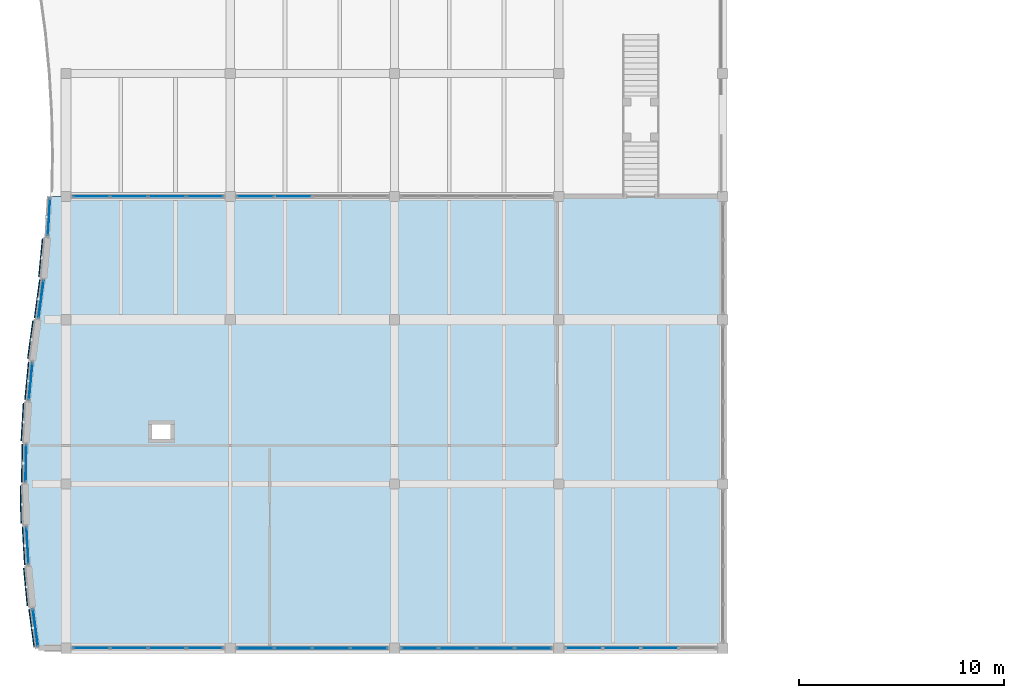
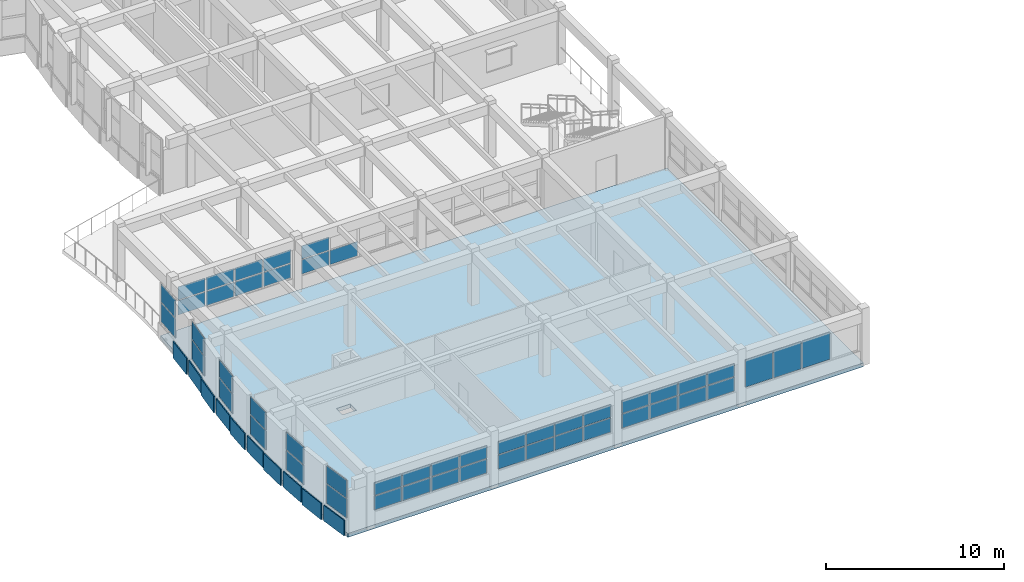
# One storey, part 43 of 89: 60 plates, 1 slab, 12 elements without a shape of their own.
"""IFC4 building model written with IfcOpenShell, lengths in metres."""

from ifc_helpers import new_model, si_unit, direction, frame, origin, origin_2d, place, context, subcontext, project, spatial, polyline, rectangle, outline, extrude, material, layer, layer_set, type_object, element, aggregate, save


model = new_model("IFC4")

# Units and contexts
model_context = context("Model", 3, precision=1e-05, world=origin(), true_north=direction((0.0, 1.0)))
body_context = subcontext(model_context, "Body", "Model", "MODEL_VIEW")
ifc_project = project(units=[si_unit("LENGTHUNIT", "METRE"), si_unit("AREAUNIT", "SQUARE_METRE"), si_unit("VOLUMEUNIT", "CUBIC_METRE"), si_unit("PLANEANGLEUNIT", "RADIAN"), si_unit("MASSUNIT", "GRAM", prefix="KILO")], contexts=[model_context])

# Site, building, storey
site_placement = place(None, origin())
site = spatial("IfcSite", under=ifc_project, at=site_placement, CompositionType="ELEMENT")
building_placement = place(site_placement, origin())
building = spatial("IfcBuilding", under=site, at=building_placement, Name="Tonlespit Floodbar School", CompositionType="ELEMENT")
storey_placement = place(building_placement, frame((0.0, 0.0, 4.5)))
storey = spatial("IfcBuildingStorey", under=building, at=storey_placement, Name="L01", CompositionType="ELEMENT", Elevation=4.5)

# Curtain wall, plates
ifc_material_1 = material(Name="Anodised Aluminium", Category="aluminium")
ifc_layer_1 = layer(ifc_material_1, 0.159912109375)
ifc_layer_set_1 = layer_set([ifc_layer_1], Name="Anodised Aluminium")
curtain_wall_type_1 = type_object("IfcCurtainWallType", Name="CurtainWall_1900x2700", PredefinedType="NOTDEFINED", material=ifc_layer_set_1)
curtain_wall_1_placement = place(storey_placement, origin())
curtain_wall_1 = element("IfcCurtainWall", 1, at=curtain_wall_1_placement, inside=storey, type_object=curtain_wall_type_1, Name="L01 unitised curtain wall 0513", PredefinedType="NOTDEFINED")
ifc_material_2 = material(Name="Laminated Low-E Glass", Category="glass")
ifc_layer_2 = layer(ifc_material_2, 0.028076171875)
ifc_layer_set_2 = layer_set([ifc_layer_2], Name="Laminated Low-E Glass")
plate_type_1 = type_object("IfcPlateType", Name="CW_Panel_Glaz_28", PredefinedType="CURTAIN_PANEL", material=ifc_layer_set_2)
plate_1_placement = place(storey_placement, frame((2.127197265625, 9.0, 1.01513671875), z_axis=(0.0, 0.0, 1.0), x_axis=(-0.057710137129, 0.998333381227, 0.0)))
plate_1 = element("IfcPlate", 2, at=plate_1_placement, type_object=plate_type_1, Name="CW-05 panel 1.1", PredefinedType="CURTAIN_PANEL", context=body_context, shape_type="SweptSolid", body=[
    extrude(rectangle(XDim=1.79345703125, YDim=0.028076171875, at=origin_2d()), origin(), (0.0, 0.0, 1.0), 1.306396484375),
])
plate_2_placement = place(storey_placement, frame((2.127197265625, 9.0, 2.38671875), z_axis=(0.0, 0.0, 1.0), x_axis=(-0.057710137129, 0.998333381227, 0.0)))
plate_2 = element("IfcPlate", 3, at=plate_2_placement, type_object=plate_type_1, Name="CW-05 panel 1.2", PredefinedType="CURTAIN_PANEL", context=body_context, shape_type="SweptSolid", body=[
    extrude(rectangle(XDim=1.79345703125, YDim=0.028076171875, at=origin_2d()), origin(), (0.0, 0.0, 1.0), 1.198486328125),
])
aggregate(curtain_wall_1, [plate_1, plate_2])

curtain_wall_2_placement = place(storey_placement, origin())
curtain_wall_2 = element("IfcCurtainWall", 4, at=curtain_wall_2_placement, inside=storey, type_object=curtain_wall_type_1, Name="L01 unitised curtain wall 0517", PredefinedType="NOTDEFINED")
plate_3_placement = place(storey_placement, frame((3.1728515625, 25.0, 1.01513671875), z_axis=(0.0, 0.0, 1.0), x_axis=(0.057710137129, 0.998333381227, 0.0)))
plate_3 = element("IfcPlate", 5, at=plate_3_placement, type_object=plate_type_1, Name="CW-05 panel 1.1", PredefinedType="CURTAIN_PANEL", context=body_context, shape_type="SweptSolid", body=[
    extrude(rectangle(XDim=1.79345703125, YDim=0.028076171875, at=origin_2d()), origin(), (0.0, 0.0, 1.0), 1.306396484375),
])
plate_4_placement = place(storey_placement, frame((3.1728515625, 25.0, 2.38671875), z_axis=(0.0, 0.0, 1.0), x_axis=(0.057710137129, 0.998333381227, 0.0)))
plate_4 = element("IfcPlate", 6, at=plate_4_placement, type_object=plate_type_1, Name="CW-05 panel 1.2", PredefinedType="CURTAIN_PANEL", context=body_context, shape_type="SweptSolid", body=[
    extrude(rectangle(XDim=1.79345703125, YDim=0.028076171875, at=origin_2d()), origin(), (0.0, 0.0, 1.0), 1.198486328125),
])
aggregate(curtain_wall_2, [plate_3, plate_4])

ifc_layer_3 = layer(ifc_material_1, 0.159912109375)
ifc_layer_set_3 = layer_set([ifc_layer_3], Name="Anodised Aluminium")
curtain_wall_type_2 = type_object("IfcCurtainWallType", Name="CurtainWall_7400x2000", PredefinedType="NOTDEFINED", material=ifc_layer_set_3)
curtain_wall_3_placement = place(storey_placement, origin())
curtain_wall_3 = element("IfcCurtainWall", 7, at=curtain_wall_3_placement, inside=storey, type_object=curtain_wall_type_2, Name="L01 unitised curtain wall 0521", PredefinedType="NOTDEFINED")
plate_5_placement = place(storey_placement, frame((10.766357421875, 4.0, 1.01513671875), z_axis=(0.0, 0.0, 1.0), x_axis=(-1.0, 0.0, 0.0)))
plate_5 = element("IfcPlate", 8, at=plate_5_placement, type_object=plate_type_1, Name="CW-60 panel 1.1", PredefinedType="CURTAIN_PANEL", context=body_context, shape_type="SweptSolid", body=[
    extrude(rectangle(XDim=1.757568359375, YDim=0.028076171875, at=origin_2d()), origin(), (0.0, 0.0, 1.0), 0.9423828125),
])
plate_6_placement = place(storey_placement, frame((10.766357421875, 4.0, 2.0224609375), z_axis=(0.0, 0.0, 1.0), x_axis=(-1.0, 0.0, 0.0)))
plate_6 = element("IfcPlate", 9, at=plate_6_placement, type_object=plate_type_1, Name="CW-60 panel 1.2", PredefinedType="CURTAIN_PANEL", context=body_context, shape_type="SweptSolid", body=[
    extrude(rectangle(XDim=1.757568359375, YDim=0.028076171875, at=origin_2d()), origin(), (0.0, 0.0, 1.0), 0.862548828125),
])
plate_7_placement = place(storey_placement, frame((8.927490234375, 4.0, 1.01513671875), z_axis=(0.0, 0.0, 1.0), x_axis=(-1.0, 0.0, 0.0)))
plate_7 = element("IfcPlate", 10, at=plate_7_placement, type_object=plate_type_1, Name="CW-60 panel 2.1", PredefinedType="CURTAIN_PANEL", context=body_context, shape_type="SweptSolid", body=[
    extrude(rectangle(XDim=1.7900390625, YDim=0.028076171875, at=origin_2d()), origin(), (0.0, 0.0, 1.0), 0.9423828125),
])
plate_8_placement = place(storey_placement, frame((8.927490234375, 4.0, 2.0224609375), z_axis=(0.0, 0.0, 1.0), x_axis=(-1.0, 0.0, 0.0)))
plate_8 = element("IfcPlate", 11, at=plate_8_placement, type_object=plate_type_1, Name="CW-60 panel 2.2", PredefinedType="CURTAIN_PANEL", context=body_context, shape_type="SweptSolid", body=[
    extrude(rectangle(XDim=1.7900390625, YDim=0.028076171875, at=origin_2d()), origin(), (0.0, 0.0, 1.0), 0.862548828125),
])
plate_9_placement = place(storey_placement, frame((7.072509765625, 4.0, 1.01513671875), z_axis=(0.0, 0.0, 1.0), x_axis=(-1.0, 0.0, 0.0)))
plate_9 = element("IfcPlate", 12, at=plate_9_placement, type_object=plate_type_1, Name="CW-60 panel 3.1", PredefinedType="CURTAIN_PANEL", context=body_context, shape_type="SweptSolid", body=[
    extrude(rectangle(XDim=1.7900390625, YDim=0.028076171875, at=origin_2d()), origin(), (0.0, 0.0, 1.0), 0.9423828125),
])
plate_10_placement = place(storey_placement, frame((7.072509765625, 4.0, 2.0224609375), z_axis=(0.0, 0.0, 1.0), x_axis=(-1.0, 0.0, 0.0)))
plate_10 = element("IfcPlate", 13, at=plate_10_placement, type_object=plate_type_1, Name="CW-60 panel 3.2", PredefinedType="CURTAIN_PANEL", context=body_context, shape_type="SweptSolid", body=[
    extrude(rectangle(XDim=1.7900390625, YDim=0.028076171875, at=origin_2d()), origin(), (0.0, 0.0, 1.0), 0.862548828125),
])
plate_11_placement = place(storey_placement, frame((5.233642578125, 4.0, 1.01513671875), z_axis=(0.0, 0.0, 1.0), x_axis=(-1.0, 0.0, 0.0)))
plate_11 = element("IfcPlate", 14, at=plate_11_placement, type_object=plate_type_1, Name="CW-60 panel 4.1", PredefinedType="CURTAIN_PANEL", context=body_context, shape_type="SweptSolid", body=[
    extrude(rectangle(XDim=1.757568359375, YDim=0.028076171875, at=origin_2d()), origin(), (0.0, 0.0, 1.0), 0.9423828125),
])
plate_12_placement = place(storey_placement, frame((5.233642578125, 4.0, 2.0224609375), z_axis=(0.0, 0.0, 1.0), x_axis=(-1.0, 0.0, 0.0)))
plate_12 = element("IfcPlate", 15, at=plate_12_placement, type_object=plate_type_1, Name="CW-60 panel 4.2", PredefinedType="CURTAIN_PANEL", context=body_context, shape_type="SweptSolid", body=[
    extrude(rectangle(XDim=1.757568359375, YDim=0.028076171875, at=origin_2d()), origin(), (0.0, 0.0, 1.0), 0.862548828125),
])
aggregate(curtain_wall_3, [plate_5, plate_6, plate_7, plate_8, plate_9, plate_10, plate_11, plate_12])

ifc_layer_4 = layer(ifc_material_1, 0.159912109375)
ifc_layer_set_4 = layer_set([ifc_layer_4], Name="Anodised Aluminium")
curtain_wall_type_3 = type_object("IfcCurtainWallType", Name="CurtainWall_7400x2050", PredefinedType="NOTDEFINED", material=ifc_layer_set_4)
curtain_wall_4_placement = place(storey_placement, origin())
curtain_wall_4 = element("IfcCurtainWall", 16, at=curtain_wall_4_placement, inside=storey, type_object=curtain_wall_type_3, Name="L01 unitised curtain wall 0525", PredefinedType="NOTDEFINED")
plate_13_placement = place(storey_placement, frame((5.233642578125, 26.0, 1.01513671875), z_axis=(0.0, 0.0, 1.0), x_axis=(1.0, 0.0, 0.0)))
plate_13 = element("IfcPlate", 17, at=plate_13_placement, type_object=plate_type_1, Name="CW-36 panel 1.1", PredefinedType="CURTAIN_PANEL", context=body_context, shape_type="SweptSolid", body=[
    extrude(rectangle(XDim=1.757568359375, YDim=0.028076171875, at=origin_2d()), origin(), (0.0, 0.0, 1.0), 0.968505859375),
])
plate_14_placement = place(storey_placement, frame((5.233642578125, 26.0, 2.04833984375), z_axis=(0.0, 0.0, 1.0), x_axis=(1.0, 0.0, 0.0)))
plate_14 = element("IfcPlate", 18, at=plate_14_placement, type_object=plate_type_1, Name="CW-36 panel 1.2", PredefinedType="CURTAIN_PANEL", context=body_context, shape_type="SweptSolid", body=[
    extrude(rectangle(XDim=1.757568359375, YDim=0.028076171875, at=origin_2d()), origin(), (0.0, 0.0, 1.0), 0.886474609375),
])
plate_15_placement = place(storey_placement, frame((7.072509765625, 26.0, 1.01513671875), z_axis=(0.0, 0.0, 1.0), x_axis=(1.0, 0.0, 0.0)))
plate_15 = element("IfcPlate", 19, at=plate_15_placement, type_object=plate_type_1, Name="CW-36 panel 2.1", PredefinedType="CURTAIN_PANEL", context=body_context, shape_type="SweptSolid", body=[
    extrude(rectangle(XDim=1.7900390625, YDim=0.028076171875, at=origin_2d()), origin(), (0.0, 0.0, 1.0), 0.968505859375),
])
plate_16_placement = place(storey_placement, frame((7.072509765625, 26.0, 2.04833984375), z_axis=(0.0, 0.0, 1.0), x_axis=(1.0, 0.0, 0.0)))
plate_16 = element("IfcPlate", 20, at=plate_16_placement, type_object=plate_type_1, Name="CW-36 panel 2.2", PredefinedType="CURTAIN_PANEL", context=body_context, shape_type="SweptSolid", body=[
    extrude(rectangle(XDim=1.7900390625, YDim=0.028076171875, at=origin_2d()), origin(), (0.0, 0.0, 1.0), 0.886474609375),
])
plate_17_placement = place(storey_placement, frame((8.927490234375, 26.0, 1.01513671875), z_axis=(0.0, 0.0, 1.0), x_axis=(1.0, 0.0, 0.0)))
plate_17 = element("IfcPlate", 21, at=plate_17_placement, type_object=plate_type_1, Name="CW-36 panel 3.1", PredefinedType="CURTAIN_PANEL", context=body_context, shape_type="SweptSolid", body=[
    extrude(rectangle(XDim=1.7900390625, YDim=0.028076171875, at=origin_2d()), origin(), (0.0, 0.0, 1.0), 0.968505859375),
])
plate_18_placement = place(storey_placement, frame((8.927490234375, 26.0, 2.04833984375), z_axis=(0.0, 0.0, 1.0), x_axis=(1.0, 0.0, 0.0)))
plate_18 = element("IfcPlate", 22, at=plate_18_placement, type_object=plate_type_1, Name="CW-36 panel 3.2", PredefinedType="CURTAIN_PANEL", context=body_context, shape_type="SweptSolid", body=[
    extrude(rectangle(XDim=1.7900390625, YDim=0.028076171875, at=origin_2d()), origin(), (0.0, 0.0, 1.0), 0.886474609375),
])
plate_19_placement = place(storey_placement, frame((10.766357421875, 26.0, 1.01513671875), z_axis=(0.0, 0.0, 1.0), x_axis=(1.0, 0.0, 0.0)))
plate_19 = element("IfcPlate", 23, at=plate_19_placement, type_object=plate_type_1, Name="CW-36 panel 4.1", PredefinedType="CURTAIN_PANEL", context=body_context, shape_type="SweptSolid", body=[
    extrude(rectangle(XDim=1.757568359375, YDim=0.028076171875, at=origin_2d()), origin(), (0.0, 0.0, 1.0), 0.968505859375),
])
plate_20_placement = place(storey_placement, frame((10.766357421875, 26.0, 2.04833984375), z_axis=(0.0, 0.0, 1.0), x_axis=(1.0, 0.0, 0.0)))
plate_20 = element("IfcPlate", 24, at=plate_20_placement, type_object=plate_type_1, Name="CW-36 panel 4.2", PredefinedType="CURTAIN_PANEL", context=body_context, shape_type="SweptSolid", body=[
    extrude(rectangle(XDim=1.757568359375, YDim=0.028076171875, at=origin_2d()), origin(), (0.0, 0.0, 1.0), 0.886474609375),
])
aggregate(curtain_wall_4, [plate_13, plate_14, plate_15, plate_16, plate_17, plate_18, plate_19, plate_20])

curtain_wall_5_placement = place(storey_placement, origin())
curtain_wall_5 = element("IfcCurtainWall", 25, at=curtain_wall_5_placement, inside=storey, type_object=curtain_wall_type_1, Name="L01 unitised curtain wall 0514", PredefinedType="NOTDEFINED")
ifc_layer_5 = layer(ifc_material_2, 0.031982421875)
ifc_layer_set_5 = layer_set([ifc_layer_5], Name="Laminated Low-E Glass")
plate_type_2 = type_object("IfcPlateType", Name="CW_Panel_Glaz_32", PredefinedType="CURTAIN_PANEL", material=ifc_layer_set_5)
plate_21_placement = place(storey_placement, frame((2.050048828125, 13.0, 1.01513671875), z_axis=(0.0, 0.0, 1.0), x_axis=(0.019215201653, 0.999815370969, 0.0)))
plate_21 = element("IfcPlate", 26, at=plate_21_placement, type_object=plate_type_2, Name="CW-05 panel 1.1", PredefinedType="CURTAIN_PANEL", context=body_context, shape_type="SweptSolid", body=[
    extrude(rectangle(XDim=1.790283203125, YDim=0.031982421875, at=origin_2d()), origin(), (0.0, 0.0, 1.0), 1.306396484375),
])
plate_22_placement = place(storey_placement, frame((2.050048828125, 13.0, 2.38671875), z_axis=(0.0, 0.0, 1.0), x_axis=(0.019215201653, 0.999815370969, 0.0)))
plate_22 = element("IfcPlate", 27, at=plate_22_placement, type_object=plate_type_2, Name="CW-05 panel 1.2", PredefinedType="CURTAIN_PANEL", context=body_context, shape_type="SweptSolid", body=[
    extrude(rectangle(XDim=1.790283203125, YDim=0.031982421875, at=origin_2d()), origin(), (0.0, 0.0, 1.0), 1.198486328125),
])
aggregate(curtain_wall_5, [plate_21, plate_22])

curtain_wall_6_placement = place(storey_placement, origin())
curtain_wall_6 = element("IfcCurtainWall", 28, at=curtain_wall_6_placement, inside=storey, type_object=curtain_wall_type_2, Name="L01 unitised curtain wall 0518", PredefinedType="NOTDEFINED")
plate_23_placement = place(storey_placement, frame((32.927490234375, 4.0, 1.01513671875), z_axis=(0.0, 0.0, 1.0), x_axis=(-1.0, 0.0, 0.0)))
plate_23 = element("IfcPlate", 29, at=plate_23_placement, type_object=plate_type_2, Name="CW-60 panel 2.1", PredefinedType="CURTAIN_PANEL", context=body_context, shape_type="SweptSolid", body=[
    extrude(rectangle(XDim=1.7900390625, YDim=0.031982421875, at=origin_2d()), origin(), (0.0, 0.0, 1.0), 1.867919921875),
])
plate_24_placement = place(storey_placement, frame((31.072509765625, 4.0, 1.01513671875), z_axis=(0.0, 0.0, 1.0), x_axis=(-1.0, 0.0, 0.0)))
plate_24 = element("IfcPlate", 30, at=plate_24_placement, type_object=plate_type_2, Name="CW-60 panel 3.1", PredefinedType="CURTAIN_PANEL", context=body_context, shape_type="SweptSolid", body=[
    extrude(rectangle(XDim=1.7900390625, YDim=0.031982421875, at=origin_2d()), origin(), (0.0, 0.0, 1.0), 1.867919921875),
])
plate_25_placement = place(storey_placement, frame((29.233642578125, 4.0, 1.01513671875), z_axis=(0.0, 0.0, 1.0), x_axis=(-1.0, 0.0, 0.0)))
plate_25 = element("IfcPlate", 31, at=plate_25_placement, type_object=plate_type_2, Name="CW-60 panel 4.1", PredefinedType="CURTAIN_PANEL", context=body_context, shape_type="SweptSolid", body=[
    extrude(rectangle(XDim=1.757568359375, YDim=0.031982421875, at=origin_2d()), origin(), (0.0, 0.0, 1.0), 1.867919921875),
])
aggregate(curtain_wall_6, [plate_23, plate_24, plate_25])

curtain_wall_7_placement = place(storey_placement, origin())
curtain_wall_7 = element("IfcCurtainWall", 32, at=curtain_wall_7_placement, inside=storey, type_object=curtain_wall_type_3, Name="L01 unitised curtain wall 0526", PredefinedType="NOTDEFINED")
plate_26_placement = place(storey_placement, frame((13.233642578125, 26.0, 1.01513671875), z_axis=(0.0, 0.0, 1.0), x_axis=(1.0, 0.0, 0.0)))
plate_26 = element("IfcPlate", 33, at=plate_26_placement, type_object=plate_type_2, Name="CW-36 panel 1.1", PredefinedType="CURTAIN_PANEL", context=body_context, shape_type="SweptSolid", body=[
    extrude(rectangle(XDim=1.757568359375, YDim=0.031982421875, at=origin_2d()), origin(), (0.0, 0.0, 1.0), 0.968505859375),
])
plate_27_placement = place(storey_placement, frame((13.233642578125, 26.0, 2.04833984375), z_axis=(0.0, 0.0, 1.0), x_axis=(1.0, 0.0, 0.0)))
plate_27 = element("IfcPlate", 34, at=plate_27_placement, type_object=plate_type_2, Name="CW-36 panel 1.2", PredefinedType="CURTAIN_PANEL", context=body_context, shape_type="SweptSolid", body=[
    extrude(rectangle(XDim=1.757568359375, YDim=0.031982421875, at=origin_2d()), origin(), (0.0, 0.0, 1.0), 0.886474609375),
])
plate_28_placement = place(storey_placement, frame((15.072509765625, 26.0, 1.01513671875), z_axis=(0.0, 0.0, 1.0), x_axis=(1.0, 0.0, 0.0)))
plate_28 = element("IfcPlate", 35, at=plate_28_placement, type_object=plate_type_2, Name="CW-36 panel 2.1", PredefinedType="CURTAIN_PANEL", context=body_context, shape_type="SweptSolid", body=[
    extrude(rectangle(XDim=1.7900390625, YDim=0.031982421875, at=origin_2d()), origin(), (0.0, 0.0, 1.0), 0.968505859375),
])
aggregate(curtain_wall_7, [plate_26, plate_27, plate_28])

ifc_layer_6 = layer(ifc_material_1, 0.159912109375)
ifc_layer_set_6 = layer_set([ifc_layer_6], Name="Anodised Aluminium")
curtain_wall_type_4 = type_object("IfcCurtainWallType", Name="CurtainWall_1950x2700", PredefinedType="NOTDEFINED", material=ifc_layer_set_6)
curtain_wall_8_placement = place(storey_placement, origin())
curtain_wall_8 = element("IfcCurtainWall", 36, at=curtain_wall_8_placement, inside=storey, type_object=curtain_wall_type_4, Name="L01 unitised curtain wall 0515", PredefinedType="NOTDEFINED")
ifc_layer_7 = layer(ifc_material_2, 0.035888671875)
ifc_layer_set_7 = layer_set([ifc_layer_7], Name="Laminated Low-E Glass")
plate_type_3 = type_object("IfcPlateType", Name="CW_Panel_Glaz_36", PredefinedType="CURTAIN_PANEL", material=ifc_layer_set_7)
plate_29_placement = place(storey_placement, frame((2.281494140625, 17.0, 1.01513671875), z_axis=(0.0, 0.0, 1.0), x_axis=(0.096198303585, 0.995362188546, 0.0)))
plate_29 = element("IfcPlate", 37, at=plate_29_placement, type_object=plate_type_3, Name="CW-04 panel 1.1", PredefinedType="CURTAIN_PANEL", context=body_context, shape_type="SweptSolid", body=[
    extrude(rectangle(XDim=1.79931640625, YDim=0.035888671875, at=origin_2d()), origin(), (0.0, 0.0, 1.0), 1.306396484375),
])
plate_30_placement = place(storey_placement, frame((2.281494140625, 17.0, 2.38671875), z_axis=(0.0, 0.0, 1.0), x_axis=(0.096198303585, 0.995362188546, 0.0)))
plate_30 = element("IfcPlate", 38, at=plate_30_placement, type_object=plate_type_3, Name="CW-04 panel 1.2", PredefinedType="CURTAIN_PANEL", context=body_context, shape_type="SweptSolid", body=[
    extrude(rectangle(XDim=1.79931640625, YDim=0.035888671875, at=origin_2d()), origin(), (0.0, 0.0, 1.0), 1.198486328125),
])
aggregate(curtain_wall_8, [plate_29, plate_30])

curtain_wall_9_placement = place(storey_placement, origin())
curtain_wall_9 = element("IfcCurtainWall", 39, at=curtain_wall_9_placement, inside=storey, type_object=curtain_wall_type_2, Name="L01 unitised curtain wall 0519", PredefinedType="NOTDEFINED")
plate_31_placement = place(storey_placement, frame((26.766357421875, 4.0, 1.01513671875), z_axis=(0.0, 0.0, 1.0), x_axis=(-1.0, 0.0, 0.0)))
plate_31 = element("IfcPlate", 40, at=plate_31_placement, type_object=plate_type_3, Name="CW-60 panel 1.1", PredefinedType="CURTAIN_PANEL", context=body_context, shape_type="SweptSolid", body=[
    extrude(rectangle(XDim=1.757568359375, YDim=0.035888671875, at=origin_2d()), origin(), (0.0, 0.0, 1.0), 0.9423828125),
])
plate_32_placement = place(storey_placement, frame((26.766357421875, 4.0, 2.0224609375), z_axis=(0.0, 0.0, 1.0), x_axis=(-1.0, 0.0, 0.0)))
plate_32 = element("IfcPlate", 41, at=plate_32_placement, type_object=plate_type_3, Name="CW-60 panel 1.2", PredefinedType="CURTAIN_PANEL", context=body_context, shape_type="SweptSolid", body=[
    extrude(rectangle(XDim=1.757568359375, YDim=0.035888671875, at=origin_2d()), origin(), (0.0, 0.0, 1.0), 0.862548828125),
])
plate_33_placement = place(storey_placement, frame((24.927490234375, 4.0, 1.01513671875), z_axis=(0.0, 0.0, 1.0), x_axis=(-1.0, 0.0, 0.0)))
plate_33 = element("IfcPlate", 42, at=plate_33_placement, type_object=plate_type_3, Name="CW-60 panel 2.1", PredefinedType="CURTAIN_PANEL", context=body_context, shape_type="SweptSolid", body=[
    extrude(rectangle(XDim=1.7900390625, YDim=0.035888671875, at=origin_2d()), origin(), (0.0, 0.0, 1.0), 0.9423828125),
])
plate_34_placement = place(storey_placement, frame((24.927490234375, 4.0, 2.0224609375), z_axis=(0.0, 0.0, 1.0), x_axis=(-1.0, 0.0, 0.0)))
plate_34 = element("IfcPlate", 43, at=plate_34_placement, type_object=plate_type_3, Name="CW-60 panel 2.2", PredefinedType="CURTAIN_PANEL", context=body_context, shape_type="SweptSolid", body=[
    extrude(rectangle(XDim=1.7900390625, YDim=0.035888671875, at=origin_2d()), origin(), (0.0, 0.0, 1.0), 0.862548828125),
])
plate_35_placement = place(storey_placement, frame((23.072509765625, 4.0, 1.01513671875), z_axis=(0.0, 0.0, 1.0), x_axis=(-1.0, 0.0, 0.0)))
plate_35 = element("IfcPlate", 44, at=plate_35_placement, type_object=plate_type_3, Name="CW-60 panel 3.1", PredefinedType="CURTAIN_PANEL", context=body_context, shape_type="SweptSolid", body=[
    extrude(rectangle(XDim=1.7900390625, YDim=0.035888671875, at=origin_2d()), origin(), (0.0, 0.0, 1.0), 0.9423828125),
])
plate_36_placement = place(storey_placement, frame((23.072509765625, 4.0, 2.0224609375), z_axis=(0.0, 0.0, 1.0), x_axis=(-1.0, 0.0, 0.0)))
plate_36 = element("IfcPlate", 45, at=plate_36_placement, type_object=plate_type_3, Name="CW-60 panel 3.2", PredefinedType="CURTAIN_PANEL", context=body_context, shape_type="SweptSolid", body=[
    extrude(rectangle(XDim=1.7900390625, YDim=0.035888671875, at=origin_2d()), origin(), (0.0, 0.0, 1.0), 0.862548828125),
])
plate_37_placement = place(storey_placement, frame((21.233642578125, 4.0, 1.01513671875), z_axis=(0.0, 0.0, 1.0), x_axis=(-1.0, 0.0, 0.0)))
plate_37 = element("IfcPlate", 46, at=plate_37_placement, type_object=plate_type_3, Name="CW-60 panel 4.1", PredefinedType="CURTAIN_PANEL", context=body_context, shape_type="SweptSolid", body=[
    extrude(rectangle(XDim=1.757568359375, YDim=0.035888671875, at=origin_2d()), origin(), (0.0, 0.0, 1.0), 0.9423828125),
])
plate_38_placement = place(storey_placement, frame((21.233642578125, 4.0, 2.0224609375), z_axis=(0.0, 0.0, 1.0), x_axis=(-1.0, 0.0, 0.0)))
plate_38 = element("IfcPlate", 47, at=plate_38_placement, type_object=plate_type_3, Name="CW-60 panel 4.2", PredefinedType="CURTAIN_PANEL", context=body_context, shape_type="SweptSolid", body=[
    extrude(rectangle(XDim=1.757568359375, YDim=0.035888671875, at=origin_2d()), origin(), (0.0, 0.0, 1.0), 0.862548828125),
])
aggregate(curtain_wall_9, [plate_31, plate_32, plate_33, plate_34, plate_35, plate_36, plate_37, plate_38])

curtain_wall_10_placement = place(storey_placement, origin())
curtain_wall_10 = element("IfcCurtainWall", 48, at=curtain_wall_10_placement, inside=storey, type_object=curtain_wall_type_4, Name="L01 unitised curtain wall 0512", PredefinedType="NOTDEFINED")
ifc_layer_8 = layer(ifc_material_2, 0.0419921875)
ifc_layer_set_8 = layer_set([ifc_layer_8], Name="Laminated Low-E Glass")
plate_type_4 = type_object("IfcPlateType", Name="CW_Panel_Glaz_42", PredefinedType="CURTAIN_PANEL", material=ifc_layer_set_8)
plate_39_placement = place(storey_placement, frame((2.51416015625, 5.0, 1.01513671875), z_axis=(0.0, 0.0, 1.0), x_axis=(-0.134643564765, 0.990894096494, 0.0)))
plate_39 = element("IfcPlate", 49, at=plate_39_placement, type_object=plate_type_4, Name="CW-04 panel 1.1", PredefinedType="CURTAIN_PANEL", context=body_context, shape_type="SweptSolid", body=[
    extrude(rectangle(XDim=1.808349609375, YDim=0.0419921875, at=origin_2d()), origin(), (0.0, 0.0, 1.0), 1.306396484375),
])
plate_40_placement = place(storey_placement, frame((2.51416015625, 5.0, 2.38671875), z_axis=(0.0, 0.0, 1.0), x_axis=(-0.134643564765, 0.990894096494, 0.0)))
plate_40 = element("IfcPlate", 50, at=plate_40_placement, type_object=plate_type_4, Name="CW-04 panel 1.2", PredefinedType="CURTAIN_PANEL", context=body_context, shape_type="SweptSolid", body=[
    extrude(rectangle(XDim=1.808349609375, YDim=0.0419921875, at=origin_2d()), origin(), (0.0, 0.0, 1.0), 1.198486328125),
])
aggregate(curtain_wall_10, [plate_39, plate_40])

curtain_wall_11_placement = place(storey_placement, origin())
curtain_wall_11 = element("IfcCurtainWall", 51, at=curtain_wall_11_placement, inside=storey, type_object=curtain_wall_type_4, Name="L01 unitised curtain wall 0516", PredefinedType="NOTDEFINED")
plate_41_placement = place(storey_placement, frame((2.785888671875, 21.0, 1.01513671875), z_axis=(0.0, 0.0, 1.0), x_axis=(0.134643564765, 0.990894096494, 0.0)))
plate_41 = element("IfcPlate", 52, at=plate_41_placement, type_object=plate_type_4, Name="CW-04 panel 1.1", PredefinedType="CURTAIN_PANEL", context=body_context, shape_type="SweptSolid", body=[
    extrude(rectangle(XDim=1.808349609375, YDim=0.0419921875, at=origin_2d()), origin(), (0.0, 0.0, 1.0), 1.306396484375),
])
plate_42_placement = place(storey_placement, frame((2.785888671875, 21.0, 2.38671875), z_axis=(0.0, 0.0, 1.0), x_axis=(0.134643564765, 0.990894096494, 0.0)))
plate_42 = element("IfcPlate", 53, at=plate_42_placement, type_object=plate_type_4, Name="CW-04 panel 1.2", PredefinedType="CURTAIN_PANEL", context=body_context, shape_type="SweptSolid", body=[
    extrude(rectangle(XDim=1.808349609375, YDim=0.0419921875, at=origin_2d()), origin(), (0.0, 0.0, 1.0), 1.198486328125),
])
aggregate(curtain_wall_11, [plate_41, plate_42])

curtain_wall_12_placement = place(storey_placement, origin())
curtain_wall_12 = element("IfcCurtainWall", 54, at=curtain_wall_12_placement, inside=storey, type_object=curtain_wall_type_2, Name="L01 unitised curtain wall 0520", PredefinedType="NOTDEFINED")
plate_43_placement = place(storey_placement, frame((18.766357421875, 4.0, 1.01513671875), z_axis=(0.0, 0.0, 1.0), x_axis=(-1.0, 0.0, 0.0)))
plate_43 = element("IfcPlate", 55, at=plate_43_placement, type_object=plate_type_4, Name="CW-60 panel 1.1", PredefinedType="CURTAIN_PANEL", context=body_context, shape_type="SweptSolid", body=[
    extrude(rectangle(XDim=1.757568359375, YDim=0.0419921875, at=origin_2d()), origin(), (0.0, 0.0, 1.0), 0.9423828125),
])
plate_44_placement = place(storey_placement, frame((18.766357421875, 4.0, 2.0224609375), z_axis=(0.0, 0.0, 1.0), x_axis=(-1.0, 0.0, 0.0)))
plate_44 = element("IfcPlate", 56, at=plate_44_placement, type_object=plate_type_4, Name="CW-60 panel 1.2", PredefinedType="CURTAIN_PANEL", context=body_context, shape_type="SweptSolid", body=[
    extrude(rectangle(XDim=1.757568359375, YDim=0.0419921875, at=origin_2d()), origin(), (0.0, 0.0, 1.0), 0.862548828125),
])
plate_45_placement = place(storey_placement, frame((16.927490234375, 4.0, 1.01513671875), z_axis=(0.0, 0.0, 1.0), x_axis=(-1.0, 0.0, 0.0)))
plate_45 = element("IfcPlate", 57, at=plate_45_placement, type_object=plate_type_4, Name="CW-60 panel 2.1", PredefinedType="CURTAIN_PANEL", context=body_context, shape_type="SweptSolid", body=[
    extrude(rectangle(XDim=1.7900390625, YDim=0.0419921875, at=origin_2d()), origin(), (0.0, 0.0, 1.0), 0.9423828125),
])
plate_46_placement = place(storey_placement, frame((16.927490234375, 4.0, 2.0224609375), z_axis=(0.0, 0.0, 1.0), x_axis=(-1.0, 0.0, 0.0)))
plate_46 = element("IfcPlate", 58, at=plate_46_placement, type_object=plate_type_4, Name="CW-60 panel 2.2", PredefinedType="CURTAIN_PANEL", context=body_context, shape_type="SweptSolid", body=[
    extrude(rectangle(XDim=1.7900390625, YDim=0.0419921875, at=origin_2d()), origin(), (0.0, 0.0, 1.0), 0.862548828125),
])
plate_47_placement = place(storey_placement, frame((15.072509765625, 4.0, 1.01513671875), z_axis=(0.0, 0.0, 1.0), x_axis=(-1.0, 0.0, 0.0)))
plate_47 = element("IfcPlate", 59, at=plate_47_placement, type_object=plate_type_4, Name="CW-60 panel 3.1", PredefinedType="CURTAIN_PANEL", context=body_context, shape_type="SweptSolid", body=[
    extrude(rectangle(XDim=1.7900390625, YDim=0.0419921875, at=origin_2d()), origin(), (0.0, 0.0, 1.0), 0.9423828125),
])
plate_48_placement = place(storey_placement, frame((15.072509765625, 4.0, 2.0224609375), z_axis=(0.0, 0.0, 1.0), x_axis=(-1.0, 0.0, 0.0)))
plate_48 = element("IfcPlate", 60, at=plate_48_placement, type_object=plate_type_4, Name="CW-60 panel 3.2", PredefinedType="CURTAIN_PANEL", context=body_context, shape_type="SweptSolid", body=[
    extrude(rectangle(XDim=1.7900390625, YDim=0.0419921875, at=origin_2d()), origin(), (0.0, 0.0, 1.0), 0.862548828125),
])
plate_49_placement = place(storey_placement, frame((13.233642578125, 4.0, 1.01513671875), z_axis=(0.0, 0.0, 1.0), x_axis=(-1.0, 0.0, 0.0)))
plate_49 = element("IfcPlate", 61, at=plate_49_placement, type_object=plate_type_4, Name="CW-60 panel 4.1", PredefinedType="CURTAIN_PANEL", context=body_context, shape_type="SweptSolid", body=[
    extrude(rectangle(XDim=1.757568359375, YDim=0.0419921875, at=origin_2d()), origin(), (0.0, 0.0, 1.0), 0.9423828125),
])
plate_50_placement = place(storey_placement, frame((13.233642578125, 4.0, 2.0224609375), z_axis=(0.0, 0.0, 1.0), x_axis=(-1.0, 0.0, 0.0)))
plate_50 = element("IfcPlate", 62, at=plate_50_placement, type_object=plate_type_4, Name="CW-60 panel 4.2", PredefinedType="CURTAIN_PANEL", context=body_context, shape_type="SweptSolid", body=[
    extrude(rectangle(XDim=1.757568359375, YDim=0.0419921875, at=origin_2d()), origin(), (0.0, 0.0, 1.0), 0.862548828125),
])
aggregate(curtain_wall_12, [plate_43, plate_44, plate_45, plate_46, plate_47, plate_48, plate_49, plate_50])

# Plates
ifc_material_3 = material(Name="White Architectural Aluminium", Category="aluminium")
ifc_layer_9 = layer(ifc_material_3, 0.06494140625)
ifc_layer_set_9 = layer_set([ifc_layer_9], Name="White Architectural Aluminium")
plate_type_5 = type_object("IfcPlateType", Name="FacadeRibbon_White_65", PredefinedType="SHEET", material=ifc_layer_set_9)
plate_51_placement = place(storey_placement, frame((2.333740234375, 4.9755859375, -0.1201171875), z_axis=(0.0, 0.0, 1.0), x_axis=(-0.134662424626, 0.990891533617, 0.0)))
element("IfcPlate", 63, at=plate_51_placement, inside=storey, type_object=plate_type_5, Name="L01 flowing white street spandrel ribbon 0763", PredefinedType="SHEET", context=body_context, shape_type="SweptSolid", body=[
    extrude(rectangle(XDim=1.8583984375, YDim=0.06494140625, at=origin_2d()), origin(), (0.0, 0.0, 1.0), 1.070068359375),
])
plate_52_placement = place(storey_placement, frame((2.040771484375, 6.976806640625, -0.1201171875), z_axis=(0.0, 0.0, 1.0), x_axis=(-0.096153248998, 0.995366541887, 0.0)))
element("IfcPlate", 64, at=plate_52_placement, inside=storey, type_object=plate_type_5, Name="L01 flowing white street spandrel ribbon 0764", PredefinedType="SHEET", context=body_context, shape_type="SweptSolid", body=[
    extrude(rectangle(XDim=1.849365234375, YDim=0.06494140625, at=origin_2d()), origin(), (0.0, 0.0, 1.0), 1.1201171875),
])
plate_53_placement = place(storey_placement, frame((1.945556640625, 8.989501953125, -0.1201171875), z_axis=(0.0, 0.0, 1.0), x_axis=(-0.057703421212, 0.998333769428, 0.0)))
element("IfcPlate", 65, at=plate_53_placement, inside=storey, type_object=plate_type_5, Name="L01 flowing white street spandrel ribbon 0765", PredefinedType="SHEET", context=body_context, shape_type="SweptSolid", body=[
    extrude(rectangle(XDim=1.84326171875, YDim=0.06494140625, at=origin_2d()), origin(), (0.0, 0.0, 1.0), 1.070068359375),
])
plate_54_placement = place(storey_placement, frame((1.80810546875, 10.995361328125, -0.1201171875), z_axis=(0.0, 0.0, 1.0), x_axis=(-0.01924630259, 0.999814772764, 0.0)))
element("IfcPlate", 66, at=plate_54_placement, inside=storey, type_object=plate_type_5, Name="L01 flowing white street spandrel ribbon 0766", PredefinedType="SHEET", context=body_context, shape_type="SweptSolid", body=[
    extrude(rectangle(XDim=1.84033203125, YDim=0.06494140625, at=origin_2d()), origin(), (0.0, 0.0, 1.0), 1.1201171875),
])
plate_55_placement = place(storey_placement, frame((1.8681640625, 13.00341796875, -0.1201171875), z_axis=(0.0, 0.0, 1.0), x_axis=(0.01924630259, 0.999814772764, 0.0)))
element("IfcPlate", 67, at=plate_55_placement, inside=storey, type_object=plate_type_5, Name="L01 flowing white street spandrel ribbon 0767", PredefinedType="SHEET", context=body_context, shape_type="SweptSolid", body=[
    extrude(rectangle(XDim=1.84033203125, YDim=0.06494140625, at=origin_2d()), origin(), (0.0, 0.0, 1.0), 1.070068359375),
])
plate_56_placement = place(storey_placement, frame((1.885498046875, 15.013916015625, -0.1201171875), z_axis=(0.0, 0.0, 1.0), x_axis=(0.057703421212, 0.998333769428, 0.0)))
element("IfcPlate", 68, at=plate_56_placement, inside=storey, type_object=plate_type_5, Name="L01 flowing white street spandrel ribbon 0768", PredefinedType="SHEET", context=body_context, shape_type="SweptSolid", body=[
    extrude(rectangle(XDim=1.84326171875, YDim=0.06494140625, at=origin_2d()), origin(), (0.0, 0.0, 1.0), 1.1201171875),
])
plate_57_placement = place(storey_placement, frame((2.100341796875, 17.017578125, -0.1201171875), z_axis=(0.0, 0.0, 1.0), x_axis=(0.096153248998, 0.995366541887, 0.0)))
element("IfcPlate", 69, at=plate_57_placement, inside=storey, type_object=plate_type_5, Name="L01 flowing white street spandrel ribbon 0769", PredefinedType="SHEET", context=body_context, shape_type="SweptSolid", body=[
    extrude(rectangle(XDim=1.849365234375, YDim=0.06494140625, at=origin_2d()), origin(), (0.0, 0.0, 1.0), 1.070068359375),
])
plate_58_placement = place(storey_placement, frame((2.2744140625, 19.03271484375, -0.1201171875), z_axis=(0.0, 0.0, 1.0), x_axis=(0.134662424626, 0.990891533617, 0.0)))
element("IfcPlate", 70, at=plate_58_placement, inside=storey, type_object=plate_type_5, Name="L01 flowing white street spandrel ribbon 0770", PredefinedType="SHEET", context=body_context, shape_type="SweptSolid", body=[
    extrude(rectangle(XDim=1.8583984375, YDim=0.06494140625, at=origin_2d()), origin(), (0.0, 0.0, 1.0), 1.1201171875),
])
plate_59_placement = place(storey_placement, frame((2.605712890625, 21.0244140625, -0.1201171875), z_axis=(0.0, 0.0, 1.0), x_axis=(0.134662424626, 0.990891533617, 0.0)))
element("IfcPlate", 71, at=plate_59_placement, inside=storey, type_object=plate_type_5, Name="L01 flowing white street spandrel ribbon 0771", PredefinedType="SHEET", context=body_context, shape_type="SweptSolid", body=[
    extrude(rectangle(XDim=1.8583984375, YDim=0.06494140625, at=origin_2d()), origin(), (0.0, 0.0, 1.0), 1.070068359375),
])
plate_60_placement = place(storey_placement, frame((2.777587890625, 23.023193359375, -0.1201171875), z_axis=(0.0, 0.0, 1.0), x_axis=(0.096153248998, 0.995366541887, 0.0)))
element("IfcPlate", 72, at=plate_60_placement, inside=storey, type_object=plate_type_5, Name="L01 flowing white street spandrel ribbon 0772", PredefinedType="SHEET", context=body_context, shape_type="SweptSolid", body=[
    extrude(rectangle(XDim=1.849365234375, YDim=0.06494140625, at=origin_2d()), origin(), (0.0, 0.0, 1.0), 1.1201171875),
])

# Slab
ifc_material_4 = material(Name="Concrete C40/50", Category="concrete")
ifc_layer_10 = layer(ifc_material_4, 0.260009765625)
ifc_layer_set_10 = layer_set([ifc_layer_10], Name="Concrete C40/50")
slab_type = type_object("IfcSlabType", Name="Slab_Podium_RC_250", PredefinedType="FLOOR", material=ifc_layer_set_10)
slab_placement = place(storey_placement, frame((0.0, 0.0, -0.260009765625)))
element("IfcSlab", 73, at=slab_placement, inside=storey, type_object=slab_type, Name="L01 V5 L01 refectory and cafe slab", PredefinedType="FLOOR", context=body_context, shape_type="SweptSolid", body=[
    extrude(outline(polyline([(3.230712890625, 26.0), (3.114990234375, 24.0), (2.921875, 22.0), (2.64990234375, 20.0), (2.378173828125, 18.0), (2.18505859375, 16.0), (2.0693359375, 14.0), (2.031005859375, 12.0), (2.0693359375, 10.0), (2.18505859375, 8.0), (2.378173828125, 6.0), (2.64990234375, 4.0), (36.0, 4.0), (36.0, 26.0), (3.230712890625, 26.0)]), holes=[polyline([(8.199951171875, 14.199951171875), (9.10009765625, 14.199951171875), (9.10009765625, 14.89990234375), (8.199951171875, 14.89990234375), (8.199951171875, 14.199951171875)])]), origin(), (0.0, 0.0, 1.0), 0.260009765625),
])

save(model, "model.ifc")
